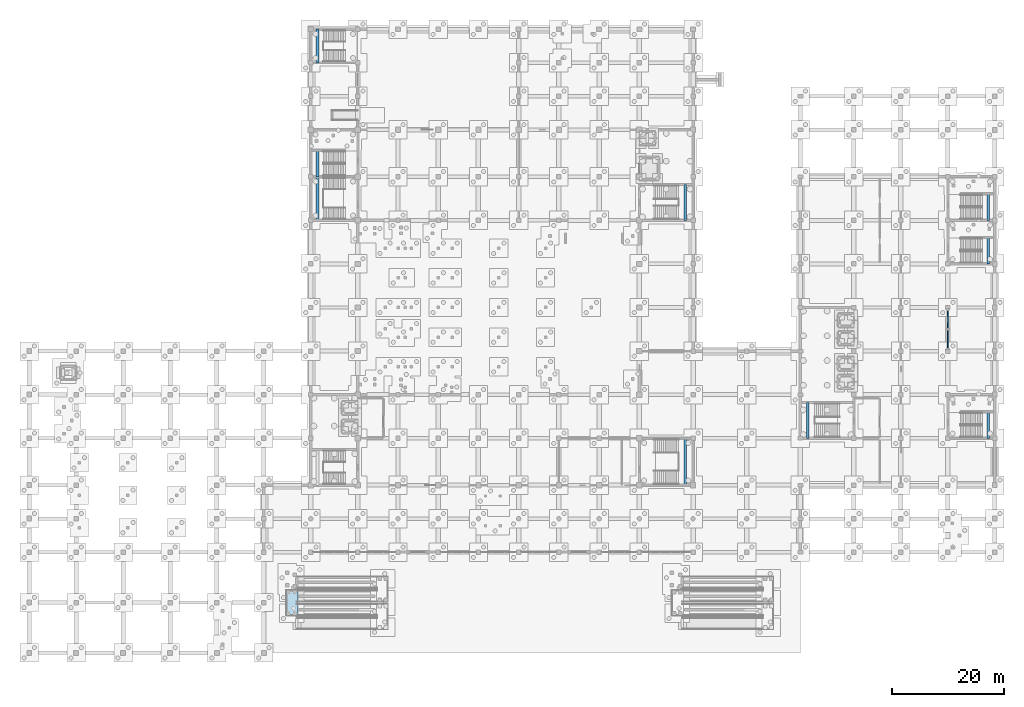
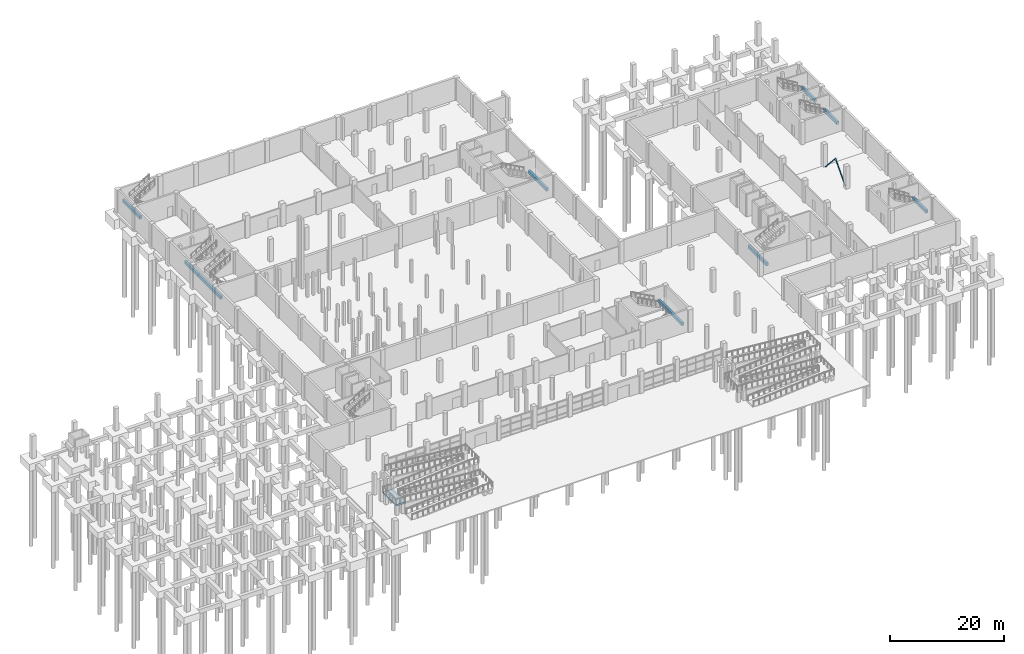
# One storey, part 25 of 42: 9 beams, 2 members, 1 slab, 1 element without a shape of its own.
"""IFC4 building model written with IfcOpenShell, lengths in metres."""

from ifc_helpers import new_model, si_unit, direction, frame, origin, origin_2d, place, context, subcontext, project, spatial, polyline, rectangle, hollow_rectangle, outline, extrude, material, layer, layer_set, material_profile, profile_set, type_object, element, aggregate, save


model = new_model("IFC4")

# Units and contexts
model_context = context("Model", 3, precision=1e-05, world=origin(), true_north=direction((0.0, 1.0)))
body_context = subcontext(model_context, "Body", "Model", "MODEL_VIEW")
ifc_project = project(units=[si_unit("LENGTHUNIT", "METRE"), si_unit("AREAUNIT", "SQUARE_METRE"), si_unit("VOLUMEUNIT", "CUBIC_METRE"), si_unit("PLANEANGLEUNIT", "RADIAN"), si_unit("MASSUNIT", "GRAM", prefix="KILO")], contexts=[model_context])

# Site, building, storey
site_placement = place(None, origin())
site = spatial("IfcSite", under=ifc_project, at=site_placement, CompositionType="ELEMENT")
building_placement = place(site_placement, origin())
building = spatial("IfcBuilding", under=site, at=building_placement, Name="Pellamere Symphony Hall", CompositionType="ELEMENT")
storey_placement = place(building_placement, frame((0.0, 0.0, -4.800048828125)))
storey = spatial("IfcBuildingStorey", under=building, at=storey_placement, Name="B1", CompositionType="ELEMENT", Elevation=-4.800048828125)

# Beams
ifc_material_1 = material(Name="Concrete 40 MPa", Category="concrete")
ifc_material_profile_1 = material_profile(ifc_material_1, rectangle(XDim=0.449951171875, YDim=0.64990234375, at=origin_2d()), Name="RC 450x650")
ifc_profile_set_1 = profile_set([ifc_material_profile_1], Name="Concrete 40 MPa")
beam_type = type_object("IfcBeamType", Name="RC CB-08 450x650", PredefinedType="BEAM", material=ifc_profile_set_1)
for number, where, z_axis, x_axis, name in (
    (1, (139.367431640625, 38.3798828125, 1.85498046875), (0.0, 1.0, 0.0), (-1.0, 0.0, 0.0), "Stair ST02-B1 Half Landing Support Beam (B1)"),
    (2, (117.4326171875, 77.3798828125, 1.85498046875), (0.0, 1.0, 0.0), (-1.0, 0.0, 0.0), "Stair ST04-B1 Half Landing Support Beam (B1)"),
):
    element("IfcBeam", number, at=place(storey_placement, frame(where, z_axis=z_axis, x_axis=x_axis)), inside=storey, type_object=beam_type, Name=name, PredefinedType="BEAM", context=body_context, shape_type="SweptSolid", body=[
        extrude(rectangle(XDim=0.449951171875, YDim=0.64990234375, at=origin_2d()), origin(), (0.0, 0.0, 1.0), 6.440185546875),
    ])
for number, where, z_axis, x_axis, name in (
    (3, (171.607421875, 69.580078125, 1.85498046875), (0.0, 1.0, 0.0), (-1.0, 0.0, 0.0), "Stair ST05-B1 Half Landing Support Beam (B1)"),
    (4, (171.607421875, 38.3798828125, 1.85498046875), (0.0, 1.0, 0.0), (-1.0, 0.0, 0.0), "Stair ST06-B1 Half Landing Support Beam (B1)"),
):
    element("IfcBeam", number, at=place(storey_placement, frame(where, z_axis=z_axis, x_axis=x_axis)), inside=storey, type_object=beam_type, Name=name, PredefinedType="BEAM", context=body_context, shape_type="SweptSolid", body=[
        extrude(rectangle(XDim=0.449951171875, YDim=0.64990234375, at=origin_2d()), origin(), (0.0, 0.0, 1.0), 4.780029296875),
    ])
beam_1_placement = place(storey_placement, frame((51.592529296875, 77.3798828125, 1.85498046875), z_axis=(0.0, 1.0, 0.0), x_axis=(-1.0, 0.0, 0.0)))
element("IfcBeam", 5, at=beam_1_placement, inside=storey, type_object=beam_type, Name="Stair ST07-B1 Half Landing Support Beam (B1)", PredefinedType="BEAM", context=body_context, shape_type="SweptSolid", body=[
    extrude(rectangle(XDim=0.449951171875, YDim=0.64990234375, at=origin_2d()), origin(), (0.0, 0.0, 1.0), 7.840087890625),
])
beam_2_placement = place(storey_placement, frame((117.4326171875, 29.97998046875, 1.85498046875), z_axis=(0.0, 1.0, 0.0), x_axis=(-1.0, 0.0, 0.0)))
element("IfcBeam", 6, at=beam_2_placement, inside=storey, type_object=beam_type, Name="Stair ST08-B1 Half Landing Support Beam (B1)", PredefinedType="BEAM", context=body_context, shape_type="SweptSolid", body=[
    extrude(rectangle(XDim=0.449951171875, YDim=0.64990234375, at=origin_2d()), origin(), (0.0, 0.0, 1.0), 8.43994140625),
])
beam_3_placement = place(storey_placement, frame((51.592529296875, 105.580078125, 1.85498046875), z_axis=(0.0, 1.0, 0.0), x_axis=(-1.0, 0.0, 0.0)))
element("IfcBeam", 7, at=beam_3_placement, inside=storey, type_object=beam_type, Name="Stair ST10-B1 Half Landing Support Beam (B1)", PredefinedType="BEAM", context=body_context, shape_type="SweptSolid", body=[
    extrude(rectangle(XDim=0.449951171875, YDim=0.64990234375, at=origin_2d()), origin(), (0.0, 0.0, 1.0), 6.0400390625),
])
for number, where, z_axis, x_axis, name in (
    (8, (51.592529296875, 85.179931640625, 1.85498046875), (0.0, 1.0, 0.0), (-1.0, 0.0, 0.0), "Stair ST13-B1 Half Landing Support Beam (B1)"),
    (9, (171.607421875, 77.3798828125, 1.85498046875), (0.0, 1.0, 0.0), (-1.0, 0.0, 0.0), "Stair ST14-B1 Half Landing Support Beam (B1)"),
):
    element("IfcBeam", number, at=place(storey_placement, frame(where, z_axis=z_axis, x_axis=x_axis)), inside=storey, type_object=beam_type, Name=name, PredefinedType="BEAM", context=body_context, shape_type="SweptSolid", body=[
        extrude(rectangle(XDim=0.449951171875, YDim=0.64990234375, at=origin_2d()), origin(), (0.0, 0.0, 1.0), 4.780029296875),
    ])

# Members
ifc_material_2 = material(Name="Steel CSA G40.21 350W", Category="steel")
ifc_material_profile_2 = material_profile(ifc_material_2, hollow_rectangle(XDim=0.15234375, YDim=0.15234375, WallThickness=0.009521484375, at=origin_2d()), Name="HSS152X152X10")
ifc_profile_set_2 = profile_set([ifc_material_profile_2], Name="Steel CSA G40.21 350W")
member_type = type_object("IfcMemberType", Name="Steel Member SM-06 HSS152X152X10", PredefinedType="BRACE", material=ifc_profile_set_2)
for number, where, z_axis, x_axis, name in (
    (10, (164.39990234375, 54.39990234375, 0.0), (0.0, 0.67266345215, 0.739948565876), (-1.0, 0.0, 0.0), "Interior Frame Chevron Brace 01A (B1)"),
    (11, (164.39990234375, 61.39990234375, 0.0), (0.0, -0.67266345215, 0.739948565876), (1.0, 0.0, 0.0), "Interior Frame Chevron Brace 01B (B1)"),
):
    element("IfcMember", number, at=place(storey_placement, frame(where, z_axis=z_axis, x_axis=x_axis)), inside=storey, type_object=member_type, Name=name, PredefinedType="BRACE", context=body_context, shape_type="SweptSolid", body=[
        extrude(hollow_rectangle(XDim=0.15234375, YDim=0.15234375, WallThickness=0.009521484375, at=origin_2d()), origin(), (0.0, 0.0, 1.0), 5.203125),
    ])

# Ramp, slab
ifc_layer_1 = layer(ifc_material_1, 0.25, Name="Concrete 40 MPa")
ifc_layer_set_1 = layer_set([ifc_layer_1], Name="Concrete 40 MPa")
ramp_type = type_object("IfcRampType", Name="Ramp RM-01 W2100", PredefinedType="HALF_TURN_RAMP", material=ifc_layer_set_1)
ramp_placement = place(storey_placement, origin())
ramp = element("IfcRamp", 12, at=ramp_placement, inside=storey, type_object=ramp_type, Name="Accessible Ramp RMP-01", PredefinedType="HALF_TURN_RAMP")
ifc_layer_2 = layer(ifc_material_1, 0.300048828125, Name="Concrete 40 MPa")
ifc_layer_set_2 = layer_set([ifc_layer_2], Name="Concrete 40 MPa")
slab_type = type_object("IfcSlabType", Name="Structural Slab FS-02 300mm", PredefinedType="FLOOR", material=ifc_layer_set_2)
slab_placement = place(storey_placement, frame((0.0, 0.0, 2.10009765625)))
slab = element("IfcSlab", 13, at=slab_placement, type_object=slab_type, Name="Ramp RMP-01 Level Turn Landing 2", PredefinedType="FLOOR", context=body_context, shape_type="SweptSolid", body=[
    extrude(outline(polyline([(46.0, 6.64990234375), (48.080078125, 6.64990234375), (48.080078125, 11.199951171875), (46.0, 11.199951171875), (46.0, 6.64990234375)])), origin(), (0.0, 0.0, 1.0), 0.300048828125),
])
aggregate(ramp, [slab])

save(model, "model.ifc")
